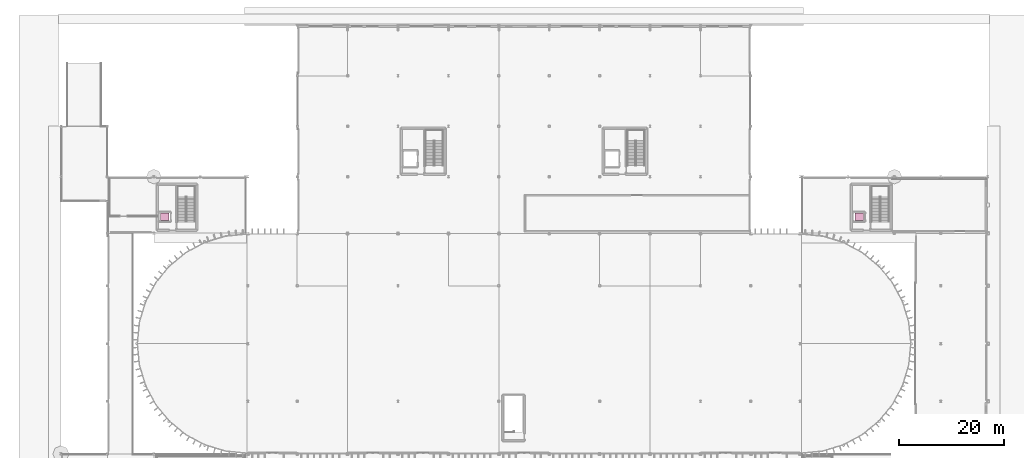
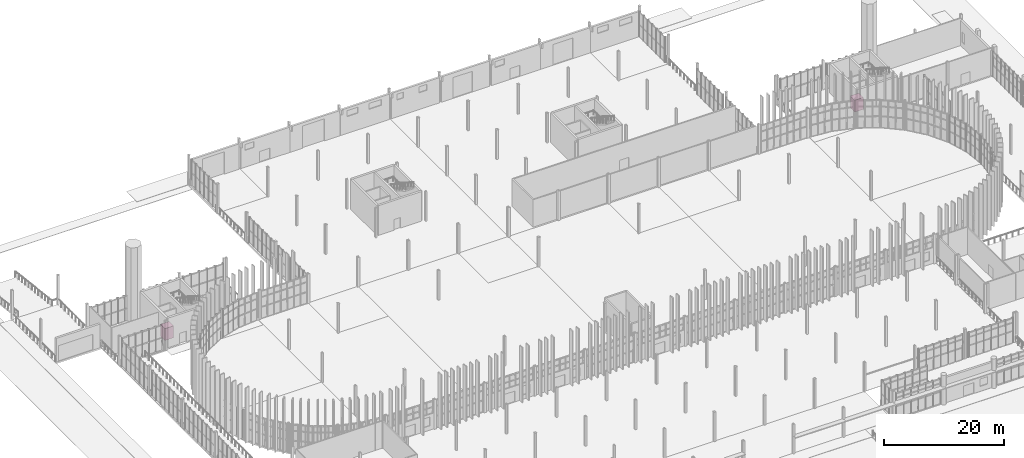
# One storey, part 139 of 139: 2 transport elements.
"""IFC4 building model written with IfcOpenShell, lengths in metres."""

from ifc_helpers import new_model, si_unit, direction, frame, origin, origin_2d, place, context, subcontext, project, spatial, rectangle, extrude, material, type_object, element, save


model = new_model("IFC4")

# Units and contexts
model_context = context("Model", 3, precision=1e-05, world=origin(), true_north=direction((0.0, 1.0)))
body_context = subcontext(model_context, "Body", "Model", "MODEL_VIEW")
ifc_project = project(units=[si_unit("LENGTHUNIT", "METRE"), si_unit("AREAUNIT", "SQUARE_METRE"), si_unit("VOLUMEUNIT", "CUBIC_METRE"), si_unit("PLANEANGLEUNIT", "RADIAN"), si_unit("MASSUNIT", "GRAM", prefix="KILO")], contexts=[model_context])

# Site, building, storey
site_placement = place(None, origin())
site = spatial("IfcSite", under=ifc_project, at=site_placement, CompositionType="ELEMENT")
building_placement = place(site_placement, origin())
building = spatial("IfcBuilding", under=site, at=building_placement, Name="Yeouljin Market Hall", CompositionType="ELEMENT")
storey_placement = place(building_placement, origin())
storey = spatial("IfcBuildingStorey", under=building, at=storey_placement, Name="L00", CompositionType="ELEMENT", Elevation=0.0)

# Transport elements
ifc_material = material(Name="Brushed Stainless Steel Elevator Cab", Category="steel")
transport_element_type = type_object("IfcTransportElementType", Name="Lift_Passenger_1650x1500", PredefinedType="ELEVATOR", material=ifc_material)
for number, where, z_axis, x_axis, name in (
    (1, (19.800048828125, 81.14990234375, 0.0), (0.0, 0.0, 1.0), (1.0, 0.0, 0.0), "Elevator car LP-02"),
    (2, (152.010009765625, 81.14990234375, 0.0), (0.0, 0.0, 1.0), (1.0, 0.0, 0.0), "Elevator car LP-04"),
):
    element("IfcTransportElement", number, at=place(storey_placement, frame(where, z_axis=z_axis, x_axis=x_axis)), inside=storey, type_object=transport_element_type, Name=name, PredefinedType="ELEVATOR", context=body_context, shape_type="SweptSolid", body=[
        extrude(rectangle(XDim=1.64990234375, YDim=1.5, at=origin_2d()), origin(), (0.0, 0.0, 1.0), 2.39990234375),
    ])

save(model, "model.ifc")
